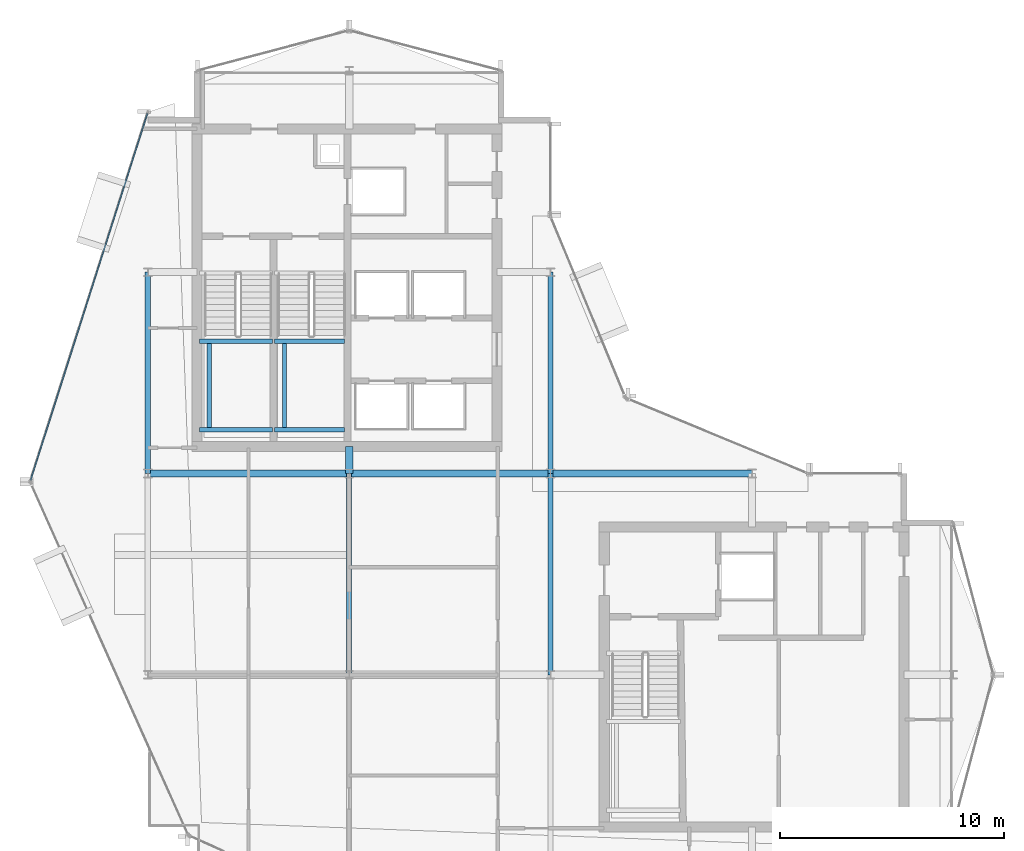
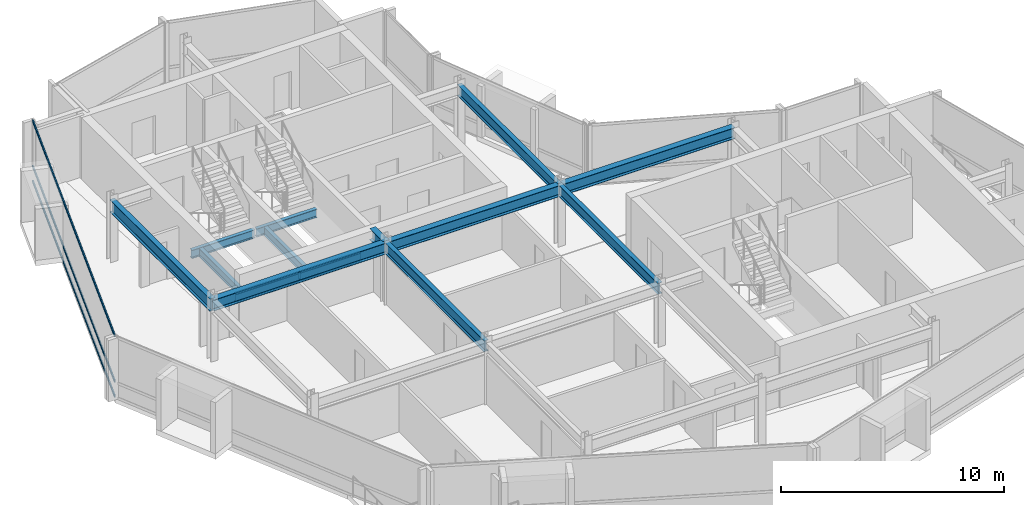
# One storey, part 7 of 19: 14 beams, 3 members, 1 element without a shape of its own.
"""IFC4 building model written with IfcOpenShell, lengths in metres."""

import ifcopenshell
import ifcopenshell.guid

model = None  # the IFC model being written
_history = None  # IfcOwnerHistory: only IFC2X3 demands one
_inside = {}  # id of a spatial element -> (the spatial element, [elements in it])
_under = {}  # id of a project, library or spatial element -> (it, [spatial elements below it])
_declared = {}  # id of a project -> (the project, [libraries it declares])
_typed = {}  # id of a type object -> (the type object, [elements of that type])
_made_of = {}  # id of a material, layer set ... -> (it, [elements and type objects made of it])


def new_model(schema):
    """Start an empty IFC model of exactly this schema.

    Asked for "IFC4X3", IfcOpenShell would pick the latest addendum, in which some entities
    have other attributes; the version numbers below select the first issue.
    IFC2X3 requires an IfcOwnerHistory on every rooted entity: one is made here for all.
    """
    global model, _history
    if schema == "IFC4X3":
        model = ifcopenshell.file(schema_version=(4, 3, 0, 0))
    else:
        model = ifcopenshell.file(schema=schema)
    _inside.clear()
    _under.clear()
    _declared.clear()
    _typed.clear()
    _made_of.clear()
    _history = None
    if model.schema == "IFC2X3":
        org = make("IfcOrganization", Name="unknown")
        user = make(
            "IfcPersonAndOrganization",
            ThePerson=make("IfcPerson", FamilyName="unknown"),
            TheOrganization=org,
        )
        app = make(
            "IfcApplication",
            ApplicationDeveloper=org,
            Version="unknown",
            ApplicationFullName="unknown",
            ApplicationIdentifier="unknown",
        )
        _history = make(
            "IfcOwnerHistory",
            OwningUser=user,
            OwningApplication=app,
            ChangeAction="ADDED",
            CreationDate=0,
        )
    return model


def make(cls, **values):
    """One entity of the class cls with the attributes given. An attribute that is None is left unset."""
    return model.create_entity(
        cls, **{name: value for name, value in values.items() if value is not None}
    )


def rooted(cls, **values):
    """An entity with a GlobalId (a new one), such as an element, a storey or a relation."""
    return make(cls, GlobalId=ifcopenshell.guid.new(), OwnerHistory=_history, **values)


def si_unit(unit_type, name, prefix=None):
    """IfcSIUnit, for example si_unit("LENGTHUNIT", "METRE", prefix="MILLI")."""
    return make("IfcSIUnit", UnitType=unit_type, Prefix=prefix, Name=name)


def assignment(units):
    """IfcUnitAssignment: the units of a project."""
    return None if units is None else make("IfcUnitAssignment", Units=units)


def point(xyz):
    """IfcCartesianPoint."""
    return None if xyz is None else make("IfcCartesianPoint", Coordinates=xyz)


def direction(xyz):
    """IfcDirection."""
    return None if xyz is None else make("IfcDirection", DirectionRatios=xyz)


def frame(location, z_axis=None, x_axis=None):
    """IfcAxis2Placement3D, a coordinate frame: its origin and axes. An axis left out is left unset."""
    return make(
        "IfcAxis2Placement3D",
        Location=point(location),
        Axis=direction(z_axis),
        RefDirection=direction(x_axis),
    )


def frame_2d(location, x_axis=None):
    """IfcAxis2Placement2D, a coordinate frame in the plane: its origin and x axis."""
    return make(
        "IfcAxis2Placement2D", Location=point(location), RefDirection=direction(x_axis)
    )


def origin():
    """The frame at (0, 0, 0) with its axes left unset."""
    return frame((0.0, 0.0, 0.0))


def origin_2d():
    """The frame at (0, 0) in the plane with its x axis left unset."""
    return frame_2d((0.0, 0.0))


def place(relative_to, where):
    """IfcLocalPlacement: puts the frame where relative to a parent placement (None: the world)."""
    return make(
        "IfcLocalPlacement", PlacementRelTo=relative_to, RelativePlacement=where
    )


def context(
    kind, dimensions, precision=None, world=None, true_north=None, identifier=None
):
    """IfcGeometricRepresentationContext, for example the 3D "Model" context."""
    return make(
        "IfcGeometricRepresentationContext",
        ContextIdentifier=identifier,
        ContextType=kind,
        CoordinateSpaceDimension=dimensions,
        Precision=precision,
        WorldCoordinateSystem=world,
        TrueNorth=true_north,
    )


def subcontext(parent, identifier, kind, view, scale=None):
    """IfcGeometricRepresentationSubContext, for example "Body" below "Model"."""
    return make(
        "IfcGeometricRepresentationSubContext",
        ContextIdentifier=identifier,
        ContextType=kind,
        ParentContext=parent,
        TargetScale=scale,
        TargetView=view,
    )


def project(units=None, contexts=None):
    """IfcProject with its units and contexts."""
    return rooted(
        "IfcProject",
        Name="project",
        RepresentationContexts=contexts,
        UnitsInContext=assignment(units),
    )


def spatial(cls, under=None, at=None, **own):
    """A site, building, storey or space (cls), placed at a placement, below another one or the project."""
    s = rooted(cls, ObjectPlacement=at, **own)
    if under is not None:
        _under.setdefault(under.id(), (under, []))[1].append(s)
    return s


def profile(cls, at=None, kind="AREA", **sizes):
    """A parametric profile (cls). Its sizes go by their IFC names, for example OverallWidth=200.0."""
    return make(cls, ProfileType=kind, Position=at, **sizes)


def hollow_rectangle(**sizes):
    """IfcRectangleHollowProfileDef."""
    return profile("IfcRectangleHollowProfileDef", **sizes)


def i_section(**sizes):
    """IfcIShapeProfileDef."""
    return profile("IfcIShapeProfileDef", **sizes)


def extrude(swept, where, along, depth):
    """IfcExtrudedAreaSolid: the profile swept, set in the frame where, extruded along a direction by depth."""
    return make(
        "IfcExtrudedAreaSolid",
        SweptArea=swept,
        Position=where,
        ExtrudedDirection=direction(along),
        Depth=depth,
    )


def shape(context_of_items, identifier, shape_type, items):
    """IfcShapeRepresentation: the items that make up one representation, for example the "Body"."""
    return make(
        "IfcShapeRepresentation",
        ContextOfItems=context_of_items,
        RepresentationIdentifier=identifier,
        RepresentationType=shape_type,
        Items=items,
    )


def material(Name=None, Category=None):
    """IfcMaterial."""
    return make("IfcMaterial", Name=Name, Category=Category)


def layer(
    of_material, thickness, ventilated=None, Name=None, Category=None, Priority=None
):
    """IfcMaterialLayer: one layer of a wall or slab, of a material (None: an air gap)."""
    return make(
        "IfcMaterialLayer",
        Material=of_material,
        LayerThickness=thickness,
        IsVentilated=ventilated,
        Name=Name,
        Category=Category,
        Priority=Priority,
    )


def layer_set(layers, Name=None):
    """IfcMaterialLayerSet."""
    return make("IfcMaterialLayerSet", MaterialLayers=layers, LayerSetName=Name)


def material_profile(
    of_material, cross_section, Name=None, Category=None, Priority=None
):
    """IfcMaterialProfile: a cross section and its material."""
    return make(
        "IfcMaterialProfile",
        Name=Name,
        Material=of_material,
        Profile=cross_section,
        Priority=Priority,
        Category=Category,
    )


def profile_set(profiles, Name=None, composite=None):
    """IfcMaterialProfileSet."""
    return make(
        "IfcMaterialProfileSet",
        Name=Name,
        MaterialProfiles=profiles,
        CompositeProfile=composite,
    )


def made_of(thing, what):
    """Note that an element or type object is made of a material, layer set ...; save() writes the relation."""
    if what is not None:
        _made_of.setdefault(what.id(), (what, []))[1].append(thing)
    return thing


def type_object(cls, material=None, **own):
    """A type object (cls), such as IfcWallType, which elements share."""
    return made_of(rooted(cls, **own), material)


def element(
    cls,
    number,
    at=None,
    inside=None,
    cuts=None,
    type_object=None,
    material=None,
    context=None,
    identifier="Body",
    shape_type=None,
    held_by="IfcProductDefinitionShape",
    body=None,
    shapes=None,
    **own,
):
    """One element of the class cls, such as IfcWall. Its Tag is "e" and its number.

    at: its placement. inside: the storey or other place that contains it. cuts: it is an
    opening in that element (IfcRelVoidsElement). A single representation is given by context,
    identifier, shape_type and body (its items); several are given by shapes. held_by: the class
    of the entity that holds the representations. save() writes the other relations.
    """
    e = rooted(cls, Tag="e%d" % number, ObjectPlacement=at, **own)
    if body is not None:
        shapes = [shape(context, identifier, shape_type, body)]
    if shapes is not None:
        e.Representation = make(held_by, Representations=shapes)
    if inside is not None:
        _inside.setdefault(inside.id(), (inside, []))[1].append(e)
    if cuts is not None:
        rooted(
            "IfcRelVoidsElement", RelatingBuildingElement=cuts, RelatedOpeningElement=e
        )
    if type_object is not None:
        _typed.setdefault(type_object.id(), (type_object, []))[1].append(e)
    return made_of(e, material)


def aggregate(whole, parts):
    """IfcRelAggregates: a whole, such as a stair, and the parts it consists of."""
    return rooted("IfcRelAggregates", RelatingObject=whole, RelatedObjects=parts)


def save(model, path):
    """Write the relations noted so far, then the file.

    IfcRelAggregates (storeys below a building ...), IfcRelContainedInSpatialStructure (elements
    in a storey), IfcRelDefinesByType, IfcRelAssociatesMaterial and IfcRelDeclares: one each for
    every whole, place, type object, material and project.
    """
    for whole, parts in _under.values():
        aggregate(whole, parts)
    for where, things in _inside.values():
        rooted(
            "IfcRelContainedInSpatialStructure",
            RelatedElements=things,
            RelatingStructure=where,
        )
    for kind, things in _typed.values():
        rooted("IfcRelDefinesByType", RelatedObjects=things, RelatingType=kind)
    for what, things in _made_of.values():
        rooted("IfcRelAssociatesMaterial", RelatedObjects=things, RelatingMaterial=what)
    for by, libraries in _declared.values():
        rooted("IfcRelDeclares", RelatingContext=by, RelatedDefinitions=libraries)
    model.write(path)


model = new_model("IFC4")

# Units and contexts
model_context = context("Model", 3, precision=1e-05, world=origin(), true_north=direction((0.0, 1.0)))
body_context = subcontext(model_context, "Body", "Model", "MODEL_VIEW")
ifc_project = project(units=[si_unit("LENGTHUNIT", "METRE"), si_unit("AREAUNIT", "SQUARE_METRE"), si_unit("VOLUMEUNIT", "CUBIC_METRE"), si_unit("PLANEANGLEUNIT", "RADIAN"), si_unit("MASSUNIT", "GRAM", prefix="KILO")], contexts=[model_context])

# Site, building, storey
site_placement = place(None, origin())
site = spatial("IfcSite", under=ifc_project, at=site_placement, CompositionType="ELEMENT")
building_placement = place(site_placement, origin())
building = spatial("IfcBuilding", under=site, at=building_placement, Name="Solvaryn Broadcast Tower", CompositionType="ELEMENT")
storey_placement = place(building_placement, frame((0.0, 0.0, 293.699951171875)))
storey = spatial("IfcBuildingStorey", under=building, at=storey_placement, Name="L74", CompositionType="ELEMENT", Elevation=293.699951171875)

# Beams
ifc_material_1 = material(Name="Steel ASTM A992 Grade 50", Category="steel")
ifc_material_profile_1 = material_profile(ifc_material_1, i_section(OverallWidth=0.323974609375, OverallDepth=0.611083984375, WebThickness=0.0126953125, FlangeThickness=0.01904296875, FilletRadius=0.014892578125, at=origin_2d()))
ifc_profile_set_1 = profile_set([ifc_material_profile_1], Name="Steel ASTM A992 Grade 50")
beam_type_1 = type_object("IfcBeamType", Name="BM-B1-W24X104", PredefinedType="BEAM", material=ifc_profile_set_1)
for number, where, z_axis, x_axis, name in (
    (1, (9.0, 27.0, 3.064453125), (1.0, 0.0, 0.0), (0.0, 1.0, 0.0), "L74 Primary Beam X (9-18 @ Y=27)"),
    (2, (18.0, 27.0, 3.064453125), (1.0, 0.0, 0.0), (0.0, 1.0, 0.0), "L74 Primary Beam X (18-27 @ Y=27)"),
    (3, (27.0, 27.0, 3.064453125), (1.0, 0.0, 0.0), (0.0, 1.0, 0.0), "L74 Primary Beam X (27-36 @ Y=27)"),
):
    element("IfcBeam", number, at=place(storey_placement, frame(where, z_axis=z_axis, x_axis=x_axis)), inside=storey, type_object=beam_type_1, Name=name, PredefinedType="BEAM", context=body_context, shape_type="SweptSolid", body=[
        extrude(i_section(OverallWidth=0.323974609375, OverallDepth=0.611083984375, WebThickness=0.0126953125, FlangeThickness=0.01904296875, FilletRadius=0.014892578125, at=origin_2d()), origin(), (0.0, 0.0, 1.0), 9.0),
    ])
beam_1_placement = place(storey_placement, frame((18.0, 27.0, 3.064453125), z_axis=(0.0, 1.0, 0.0), x_axis=(-1.0, 0.0, 0.0)))
element("IfcBeam", 4, at=beam_1_placement, inside=storey, type_object=beam_type_1, Name="L74 Core Tie Beam CTW4", PredefinedType="BEAM", context=body_context, shape_type="SweptSolid", body=[
    extrude(i_section(OverallWidth=0.323974609375, OverallDepth=0.611083984375, WebThickness=0.0126953125, FlangeThickness=0.01904296875, FilletRadius=0.014892578125, at=origin_2d()), origin(), (0.0, 0.0, 1.0), 1.199951171875),
])
ifc_material_2 = material(Name="Steel ASTM A992 Grade 50", Category="steel")
ifc_material_profile_2 = material_profile(ifc_material_2, i_section(OverallWidth=0.22802734375, OverallDepth=0.60791015625, WebThickness=0.01123046875, FlangeThickness=0.017333984375, FilletRadius=0.014892578125, at=origin_2d()))
ifc_profile_set_2 = profile_set([ifc_material_profile_2], Name="Steel ASTM A992 Grade 50")
beam_type_2 = type_object("IfcBeamType", Name="BM-B2-W24X76", PredefinedType="BEAM", material=ifc_profile_set_2)
for number, where, z_axis, x_axis, name in (
    (5, (18.0, 18.0, 3.066162109375), (0.0, 1.0, 0.0), (-1.0, 0.0, 0.0), "L74 Primary Beam Y (18-27 @ X=18)"),
    (6, (27.0, 18.0, 3.066162109375), (0.0, 1.0, 0.0), (-1.0, 0.0, 0.0), "L74 Primary Beam Y (18-27 @ X=27)"),
    (7, (27.0, 27.0, 3.066162109375), (0.0, 1.0, 0.0), (-1.0, 0.0, 0.0), "L74 Primary Beam Y (27-36 @ X=27)"),
):
    element("IfcBeam", number, at=place(storey_placement, frame(where, z_axis=z_axis, x_axis=x_axis)), inside=storey, type_object=beam_type_2, Name=name, PredefinedType="BEAM", context=body_context, shape_type="SweptSolid", body=[
        extrude(i_section(OverallWidth=0.22802734375, OverallDepth=0.60791015625, WebThickness=0.01123046875, FlangeThickness=0.017333984375, FilletRadius=0.014892578125, at=origin_2d()), origin(), (0.0, 0.0, 1.0), 9.0),
    ])
ifc_material_3 = material(Name="Steel ASTM A992 Grade 50", Category="steel")
ifc_material_profile_3 = material_profile(ifc_material_3, i_section(OverallWidth=0.18994140625, OverallDepth=0.45703125, WebThickness=0.009033203125, FlangeThickness=0.014404296875, FilletRadius=0.011962890625, at=origin_2d()))
ifc_profile_set_3 = profile_set([ifc_material_profile_3], Name="Steel ASTM A992 Grade 50")
beam_type_3 = type_object("IfcBeamType", Name="BM-B4-W18X50", PredefinedType="BEAM", material=ifc_profile_set_3)
for number, where, z_axis, x_axis, name in (
    (8, (11.300048828125, 28.949951171875, 1.421630859375), (1.0, 0.0, 0.0), (0.0, 1.0, 0.0), "L74 ST1 Landing Support Beam 1A"),
    (9, (11.300048828125, 32.909912109375, 1.421630859375), (1.0, 0.0, 0.0), (0.0, 1.0, 0.0), "L74 ST1 Landing Support Beam 1B"),
):
    element("IfcBeam", number, at=place(storey_placement, frame(where, z_axis=z_axis, x_axis=x_axis)), inside=storey, type_object=beam_type_3, Name=name, PredefinedType="BEAM", context=body_context, shape_type="SweptSolid", body=[
        extrude(i_section(OverallWidth=0.18994140625, OverallDepth=0.45703125, WebThickness=0.009033203125, FlangeThickness=0.014404296875, FilletRadius=0.011962890625, at=origin_2d()), origin(), (0.0, 0.0, 1.0), 3.280029296875),
    ])
beam_2_placement = place(storey_placement, frame((11.75, 28.949951171875, 1.421630859375), z_axis=(0.0, 1.0, 0.0), x_axis=(-1.0, 0.0, 0.0)))
element("IfcBeam", 10, at=beam_2_placement, inside=storey, type_object=beam_type_3, Name="L74 ST1 Landing Cross Stringer 1C", PredefinedType="BEAM", context=body_context, shape_type="SweptSolid", body=[
    extrude(i_section(OverallWidth=0.18994140625, OverallDepth=0.45703125, WebThickness=0.009033203125, FlangeThickness=0.014404296875, FilletRadius=0.011962890625, at=origin_2d()), origin(), (0.0, 0.0, 1.0), 3.9599609375),
])
for number, where, z_axis, x_axis, name in (
    (11, (14.659912109375, 28.949951171875, 1.421630859375), (1.0, 0.0, 0.0), (0.0, 1.0, 0.0), "L74 ST2 Landing Support Beam 1A"),
    (12, (14.659912109375, 32.909912109375, 1.421630859375), (1.0, 0.0, 0.0), (0.0, 1.0, 0.0), "L74 ST2 Landing Support Beam 1B"),
):
    element("IfcBeam", number, at=place(storey_placement, frame(where, z_axis=z_axis, x_axis=x_axis)), inside=storey, type_object=beam_type_3, Name=name, PredefinedType="BEAM", context=body_context, shape_type="SweptSolid", body=[
        extrude(i_section(OverallWidth=0.18994140625, OverallDepth=0.45703125, WebThickness=0.009033203125, FlangeThickness=0.014404296875, FilletRadius=0.011962890625, at=origin_2d()), origin(), (0.0, 0.0, 1.0), 3.14013671875),
    ])
beam_3_placement = place(storey_placement, frame((15.110107421875, 28.949951171875, 1.421630859375), z_axis=(0.0, 1.0, 0.0), x_axis=(-1.0, 0.0, 0.0)))
element("IfcBeam", 13, at=beam_3_placement, inside=storey, type_object=beam_type_3, Name="L74 ST2 Landing Cross Stringer 1C", PredefinedType="BEAM", context=body_context, shape_type="SweptSolid", body=[
    extrude(i_section(OverallWidth=0.18994140625, OverallDepth=0.45703125, WebThickness=0.009033203125, FlangeThickness=0.014404296875, FilletRadius=0.011962890625, at=origin_2d()), origin(), (0.0, 0.0, 1.0), 3.9599609375),
])
ifc_material_4 = material(Name="Steel ASTM A992 Grade 50", Category="steel")
ifc_material_profile_4 = material_profile(ifc_material_4, i_section(OverallWidth=0.256103515625, OverallDepth=0.693115234375, WebThickness=0.014404296875, FlangeThickness=0.023681640625, FilletRadius=0.01611328125, at=origin_2d()))
ifc_profile_set_4 = profile_set([ifc_material_profile_4], Name="Steel ASTM A992 Grade 50")
beam_type_4 = type_object("IfcBeamType", Name="BM-SP3-W27X114", PredefinedType="USERDEFINED", material=ifc_profile_set_4)
beam_4_placement = place(storey_placement, frame((9.0, 27.0, 3.0234375), z_axis=(0.0, 1.0, 0.0), x_axis=(-1.0, 0.0, 0.0)))
element("IfcBeam", 14, at=beam_4_placement, inside=storey, type_object=beam_type_4, Name="L74 Spandrel Beam Y (27-36 @ X=9)", ObjectType="SPANDREL", PredefinedType="USERDEFINED", context=body_context, shape_type="SweptSolid", body=[
    extrude(i_section(OverallWidth=0.256103515625, OverallDepth=0.693115234375, WebThickness=0.014404296875, FlangeThickness=0.023681640625, FilletRadius=0.01611328125, at=origin_2d()), origin(), (0.0, 0.0, 1.0), 9.0),
])

# Curtain wall, members
ifc_material_5 = material(Name="Aluminium and Terracotta Unitised Curtain Wall", Category="masonry")
ifc_layer = layer(ifc_material_5, 0.199951171875)
ifc_layer_set = layer_set([ifc_layer], Name="CW-SYS2-LOWMID")
curtain_wall_type = type_object("IfcCurtainWallType", Name="CW-SYS2-LOWMID", PredefinedType="NOTDEFINED", material=ifc_layer_set)
curtain_wall_placement = place(storey_placement, origin())
curtain_wall = element("IfcCurtainWall", 15, at=curtain_wall_placement, inside=storey, type_object=curtain_wall_type, Name="L74 Curtain Wall DR1", PredefinedType="NOTDEFINED")
ifc_material_6 = material(Name="Anodised Aluminium 6063-T6", Category="aluminium")
ifc_material_profile_5 = material_profile(ifc_material_6, hollow_rectangle(XDim=0.06494140625, YDim=0.14990234375, WallThickness=0.00390625, InnerFilletRadius=0.00390625, OuterFilletRadius=0.008056640625, at=origin_2d()))
ifc_profile_set_5 = profile_set([ifc_material_profile_5], Name="Anodised Aluminium 6063-T6")
member_type = type_object("IfcMemberType", Name="CW-TRN-150", PredefinedType="USERDEFINED", material=ifc_profile_set_5)
member_1_placement = place(storey_placement, frame((8.981689453125, 43.091796875, 0.030029296875), z_axis=(-0.303616405252, -0.952794352661, 0.0), x_axis=(0.952794352661, -0.303616405252, 0.0)))
member_1 = element("IfcMember", 16, at=member_1_placement, type_object=member_type, Name="CWS2 transom 1.1", ObjectType="TRANSOM", PredefinedType="USERDEFINED", context=body_context, shape_type="SweptSolid", body=[
    extrude(hollow_rectangle(XDim=0.06494140625, YDim=0.14990234375, WallThickness=0.00390625, InnerFilletRadius=0.00390625, OuterFilletRadius=0.008056640625, at=origin_2d()), origin(), (0.0, 0.0, 1.0), 17.211181640625),
])
member_2_placement = place(storey_placement, frame((8.981689453125, 43.091796875, 0.85009765625), z_axis=(-0.303616405252, -0.952794352661, 0.0), x_axis=(0.952794352661, -0.303616405252, 0.0)))
member_2 = element("IfcMember", 17, at=member_2_placement, type_object=member_type, Name="CWS2 transom 1.2", ObjectType="TRANSOM", PredefinedType="USERDEFINED", context=body_context, shape_type="SweptSolid", body=[
    extrude(hollow_rectangle(XDim=0.06494140625, YDim=0.14990234375, WallThickness=0.00390625, InnerFilletRadius=0.00390625, OuterFilletRadius=0.008056640625, at=origin_2d()), origin(), (0.0, 0.0, 1.0), 17.211181640625),
])
member_3_placement = place(storey_placement, frame((8.981689453125, 43.091796875, 3.340087890625), z_axis=(-0.303616405252, -0.952794352661, 0.0), x_axis=(0.952794352661, -0.303616405252, 0.0)))
member_3 = element("IfcMember", 18, at=member_3_placement, type_object=member_type, Name="CWS2 transom 1.3", ObjectType="TRANSOM", PredefinedType="USERDEFINED", context=body_context, shape_type="SweptSolid", body=[
    extrude(hollow_rectangle(XDim=0.06494140625, YDim=0.14990234375, WallThickness=0.00390625, InnerFilletRadius=0.00390625, OuterFilletRadius=0.008056640625, at=origin_2d()), origin(), (0.0, 0.0, 1.0), 17.211181640625),
])
aggregate(curtain_wall, [member_1, member_2, member_3])

save(model, "model.ifc")
